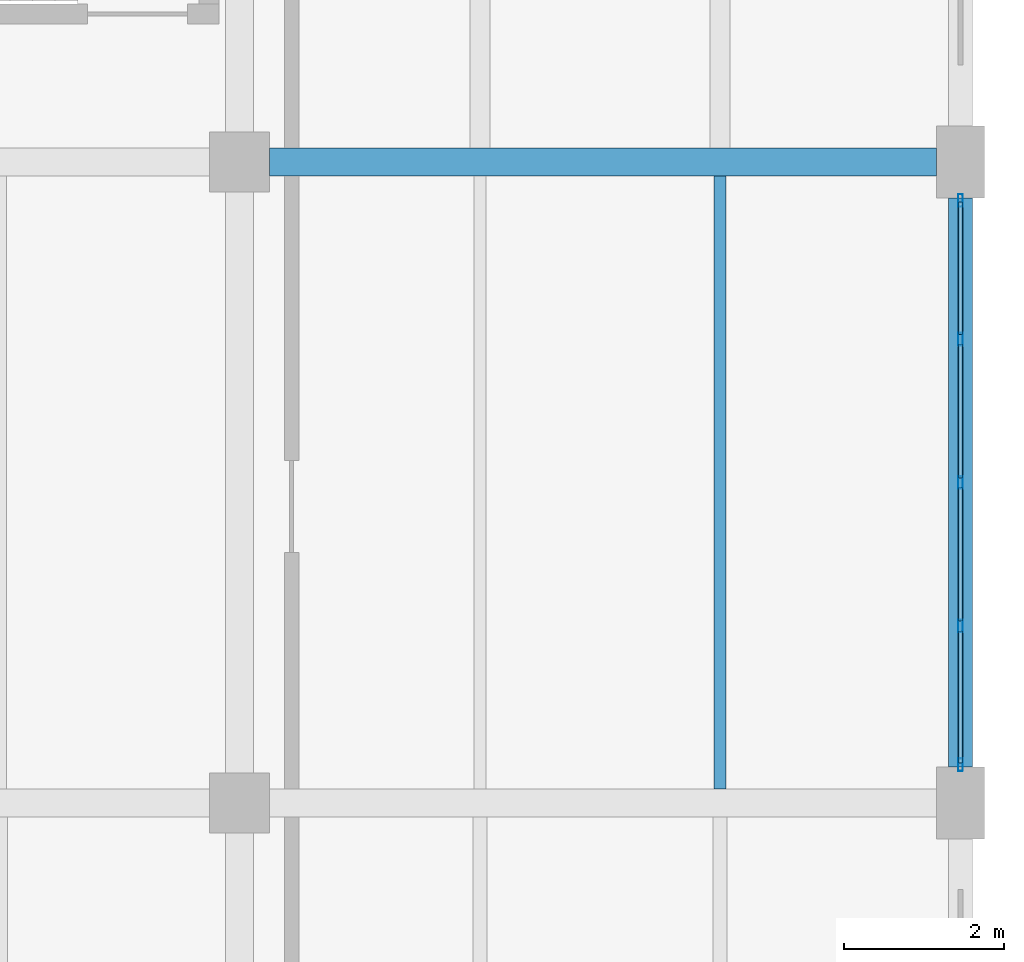
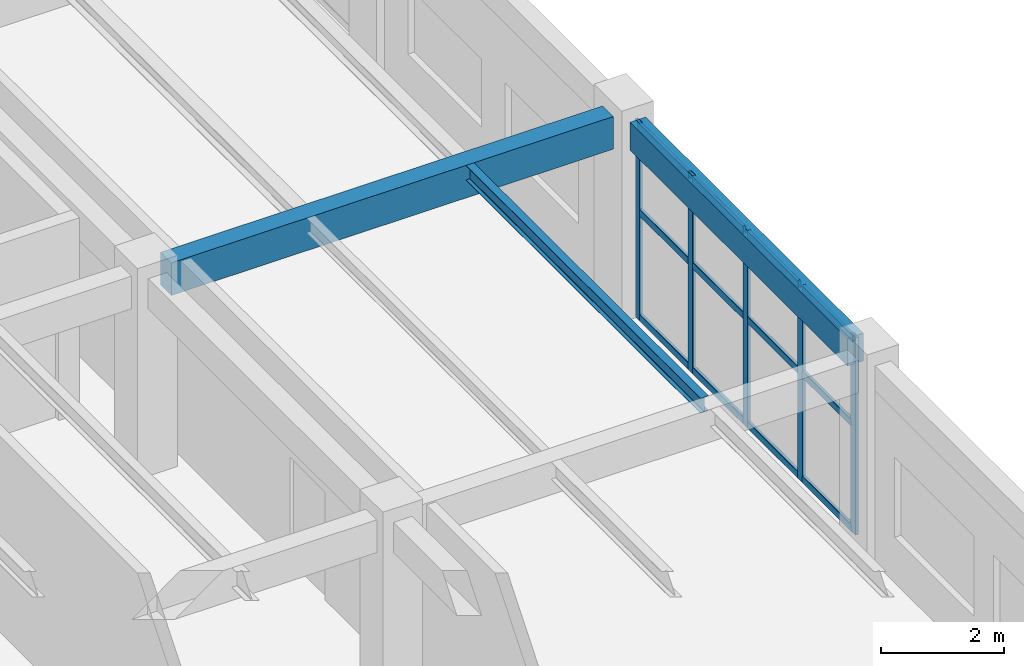
# One storey, part 91 of 128: 17 members, 3 beams, 1 element without a shape of its own.
"""IFC4 building model written with IfcOpenShell, lengths in metres."""

from ifc_helpers import new_model, si_unit, derived_unit, direction, frame, origin, origin_2d, place, context, subcontext, project, spatial, rectangle, hollow_rectangle, i_section, extrude, material, material_profile, profile_set, type_object, element, aggregate, save


model = new_model("IFC4")

# Units and contexts
model_context = context("Model", 3, precision=1e-05, world=origin(), true_north=direction((0.0, 1.0)))
body_context = subcontext(model_context, "Body", "Model", "MODEL_VIEW")
ifc_project = project(units=[si_unit("LENGTHUNIT", "METRE"), si_unit("AREAUNIT", "SQUARE_METRE"), si_unit("VOLUMEUNIT", "CUBIC_METRE"), si_unit("PLANEANGLEUNIT", "RADIAN"), si_unit("MASSUNIT", "GRAM", prefix="KILO"), derived_unit("THERMALTRANSMITTANCEUNIT", [(si_unit("MASSUNIT", "GRAM", prefix="KILO"), 1), (si_unit("TIMEUNIT", "SECOND"), -3), (si_unit("THERMODYNAMICTEMPERATUREUNIT", "KELVIN"), -1)])], contexts=[model_context])

# Site, building, storey
site_placement = place(None, origin())
site = spatial("IfcSite", under=ifc_project, at=site_placement, CompositionType="ELEMENT")
building_placement = place(site_placement, origin())
building = spatial("IfcBuilding", under=site, at=building_placement, Name="Zhenchuan Archway Interchange", CompositionType="ELEMENT")
storey_placement = place(building_placement, frame((0.0, 0.0, 14.39990234375)))
storey = spatial("IfcBuildingStorey", under=building, at=storey_placement, Name="L03", CompositionType="ELEMENT", Elevation=14.39990234375)

# Beam
ifc_material_1 = material(Name="Concrete C40", Category="concrete")
ifc_material_profile_1 = material_profile(ifc_material_1, rectangle(XDim=0.35009765625, YDim=0.64990234375, at=origin_2d()), Name="RC 350x650")
ifc_profile_set_1 = profile_set([ifc_material_profile_1], Name="Concrete C40")
beam_type_1 = type_object("IfcBeamType", Name="BM_RC_350x650", PredefinedType="BEAM", material=ifc_profile_set_1)
beam_1_placement = place(storey_placement, frame((162.375, 88.0, 3.60498046875), z_axis=(1.0, 0.0, 0.0), x_axis=(0.0, 1.0, 0.0)))
element("IfcBeam", 1, at=beam_1_placement, inside=storey, type_object=beam_type_1, Name="Beam M:19-20 (L03)", PredefinedType="BEAM", context=body_context, shape_type="SweptSolid", body=[
    extrude(rectangle(XDim=0.35009765625, YDim=0.64990234375, at=origin_2d()), origin(), (0.0, 0.0, 1.0), 8.324951171875),
])

# Curtain wall, members
ifc_material_2 = material(Name="Anodised Aluminium", Category="aluminium")
curtain_wall_type = type_object("IfcCurtainWallType", Name="CW_UNIT_4", PredefinedType="NOTDEFINED", material=ifc_material_2)
curtain_wall_placement = place(storey_placement, origin())
curtain_wall = element("IfcCurtainWall", 2, at=curtain_wall_placement, inside=storey, type_object=curtain_wall_type, Name="Unitised curtain wall CW:L03:179", PredefinedType="NOTDEFINED")
ifc_material_profile_2 = material_profile(ifc_material_2, hollow_rectangle(XDim=0.06005859375, YDim=0.159912109375, WallThickness=0.00390625, InnerFilletRadius=0.00390625, OuterFilletRadius=0.008056640625, at=origin_2d()), Name="ALU 160x60x4")
ifc_profile_set_2 = profile_set([ifc_material_profile_2], Name="Anodised Aluminium")
member_type_1 = type_object("IfcMemberType", Name="CW_MUL_150", PredefinedType="MULLION", material=ifc_profile_set_2)
member_1_placement = place(storey_placement, frame((171.0, 87.52197265625, 0.0), z_axis=(0.0, 0.0, 1.0), x_axis=(1.0, 0.0, 0.0)))
member_1 = element("IfcMember", 3, at=member_1_placement, type_object=member_type_1, Name="CW:L03:179 mullion 0", PredefinedType="MULLION", context=body_context, shape_type="SweptSolid", body=[
    extrude(hollow_rectangle(XDim=0.06005859375, YDim=0.159912109375, WallThickness=0.00390625, InnerFilletRadius=0.00390625, OuterFilletRadius=0.008056640625, at=origin_2d()), origin(), (0.0, 0.0, 1.0), 3.93017578125),
])
member_2_placement = place(storey_placement, frame((171.0, 85.791015625, 0.0), z_axis=(0.0, 0.0, 1.0), x_axis=(1.0, 0.0, 0.0)))
member_2 = element("IfcMember", 4, at=member_2_placement, type_object=member_type_1, Name="CW:L03:179 mullion 1", PredefinedType="MULLION", context=body_context, shape_type="SweptSolid", body=[
    extrude(hollow_rectangle(XDim=0.06005859375, YDim=0.159912109375, WallThickness=0.00390625, InnerFilletRadius=0.00390625, OuterFilletRadius=0.008056640625, at=origin_2d()), origin(), (0.0, 0.0, 1.0), 3.93017578125),
])
member_3_placement = place(storey_placement, frame((171.0, 84.0, 0.0), z_axis=(0.0, 0.0, 1.0), x_axis=(1.0, 0.0, 0.0)))
member_3 = element("IfcMember", 5, at=member_3_placement, type_object=member_type_1, Name="CW:L03:179 mullion 2", PredefinedType="MULLION", context=body_context, shape_type="SweptSolid", body=[
    extrude(hollow_rectangle(XDim=0.06005859375, YDim=0.159912109375, WallThickness=0.00390625, InnerFilletRadius=0.00390625, OuterFilletRadius=0.008056640625, at=origin_2d()), origin(), (0.0, 0.0, 1.0), 3.93017578125),
])
member_4_placement = place(storey_placement, frame((171.0, 82.208984375, 0.0), z_axis=(0.0, 0.0, 1.0), x_axis=(1.0, 0.0, 0.0)))
member_4 = element("IfcMember", 6, at=member_4_placement, type_object=member_type_1, Name="CW:L03:179 mullion 3", PredefinedType="MULLION", context=body_context, shape_type="SweptSolid", body=[
    extrude(hollow_rectangle(XDim=0.06005859375, YDim=0.159912109375, WallThickness=0.00390625, InnerFilletRadius=0.00390625, OuterFilletRadius=0.008056640625, at=origin_2d()), origin(), (0.0, 0.0, 1.0), 3.93017578125),
])
member_5_placement = place(storey_placement, frame((171.0, 80.47802734375, 0.0), z_axis=(0.0, 0.0, 1.0), x_axis=(1.0, 0.0, 0.0)))
member_5 = element("IfcMember", 7, at=member_5_placement, type_object=member_type_1, Name="CW:L03:179 mullion 4", PredefinedType="MULLION", context=body_context, shape_type="SweptSolid", body=[
    extrude(hollow_rectangle(XDim=0.06005859375, YDim=0.159912109375, WallThickness=0.00390625, InnerFilletRadius=0.00390625, OuterFilletRadius=0.008056640625, at=origin_2d()), origin(), (0.0, 0.0, 1.0), 3.93017578125),
])
ifc_material_profile_3 = material_profile(ifc_material_2, hollow_rectangle(XDim=0.06005859375, YDim=0.139892578125, WallThickness=0.00341796875, InnerFilletRadius=0.00341796875, OuterFilletRadius=0.007080078125, at=origin_2d()), Name="ALU 140x60x3.5")
ifc_profile_set_3 = profile_set([ifc_material_profile_3], Name="Anodised Aluminium")
member_type_2 = type_object("IfcMemberType", Name="CW_TRN_140", PredefinedType="USERDEFINED", material=ifc_profile_set_3)
member_6_placement = place(storey_placement, frame((171.0, 87.501953125, 0.06005859375), z_axis=(0.0, -1.0, 0.0), x_axis=(1.0, 0.0, 0.0)))
member_6 = element("IfcMember", 8, at=member_6_placement, type_object=member_type_2, Name="CW:L03:179 transom 0-1", ObjectType="TRANSOM", PredefinedType="USERDEFINED", context=body_context, shape_type="SweptSolid", body=[
    extrude(hollow_rectangle(XDim=0.06005859375, YDim=0.139892578125, WallThickness=0.00341796875, InnerFilletRadius=0.00341796875, OuterFilletRadius=0.007080078125, at=origin_2d()), origin(), (0.0, 0.0, 1.0), 1.65087890625),
])
member_7_placement = place(storey_placement, frame((171.0, 87.501953125, 2.150634765625), z_axis=(0.0, -1.0, 0.0), x_axis=(1.0, 0.0, 0.0)))
member_7 = element("IfcMember", 9, at=member_7_placement, type_object=member_type_2, Name="CW:L03:179 transom 0-2", ObjectType="TRANSOM", PredefinedType="USERDEFINED", context=body_context, shape_type="SweptSolid", body=[
    extrude(hollow_rectangle(XDim=0.06005859375, YDim=0.139892578125, WallThickness=0.00341796875, InnerFilletRadius=0.00341796875, OuterFilletRadius=0.007080078125, at=origin_2d()), origin(), (0.0, 0.0, 1.0), 1.65087890625),
])
member_8_placement = place(storey_placement, frame((171.0, 87.501953125, 3.85009765625), z_axis=(0.0, -1.0, 0.0), x_axis=(1.0, 0.0, 0.0)))
member_8 = element("IfcMember", 10, at=member_8_placement, type_object=member_type_2, Name="CW:L03:179 transom 0-3", ObjectType="TRANSOM", PredefinedType="USERDEFINED", context=body_context, shape_type="SweptSolid", body=[
    extrude(hollow_rectangle(XDim=0.06005859375, YDim=0.139892578125, WallThickness=0.00341796875, InnerFilletRadius=0.00341796875, OuterFilletRadius=0.007080078125, at=origin_2d()), origin(), (0.0, 0.0, 1.0), 1.65087890625),
])
member_9_placement = place(storey_placement, frame((171.0, 85.73095703125, 0.06005859375), z_axis=(0.0, -1.0, 0.0), x_axis=(1.0, 0.0, 0.0)))
member_9 = element("IfcMember", 11, at=member_9_placement, type_object=member_type_2, Name="CW:L03:179 transom 1-1", ObjectType="TRANSOM", PredefinedType="USERDEFINED", context=body_context, shape_type="SweptSolid", body=[
    extrude(hollow_rectangle(XDim=0.06005859375, YDim=0.139892578125, WallThickness=0.00341796875, InnerFilletRadius=0.00341796875, OuterFilletRadius=0.007080078125, at=origin_2d()), origin(), (0.0, 0.0, 1.0), 1.6708984375),
])
member_10_placement = place(storey_placement, frame((171.0, 85.73095703125, 2.150634765625), z_axis=(0.0, -1.0, 0.0), x_axis=(1.0, 0.0, 0.0)))
member_10 = element("IfcMember", 12, at=member_10_placement, type_object=member_type_2, Name="CW:L03:179 transom 1-2", ObjectType="TRANSOM", PredefinedType="USERDEFINED", context=body_context, shape_type="SweptSolid", body=[
    extrude(hollow_rectangle(XDim=0.06005859375, YDim=0.139892578125, WallThickness=0.00341796875, InnerFilletRadius=0.00341796875, OuterFilletRadius=0.007080078125, at=origin_2d()), origin(), (0.0, 0.0, 1.0), 1.6708984375),
])
member_11_placement = place(storey_placement, frame((171.0, 85.73095703125, 3.85009765625), z_axis=(0.0, -1.0, 0.0), x_axis=(1.0, 0.0, 0.0)))
member_11 = element("IfcMember", 13, at=member_11_placement, type_object=member_type_2, Name="CW:L03:179 transom 1-3", ObjectType="TRANSOM", PredefinedType="USERDEFINED", context=body_context, shape_type="SweptSolid", body=[
    extrude(hollow_rectangle(XDim=0.06005859375, YDim=0.139892578125, WallThickness=0.00341796875, InnerFilletRadius=0.00341796875, OuterFilletRadius=0.007080078125, at=origin_2d()), origin(), (0.0, 0.0, 1.0), 1.6708984375),
])
member_12_placement = place(storey_placement, frame((171.0, 83.93994140625, 0.06005859375), z_axis=(0.0, -1.0, 0.0), x_axis=(1.0, 0.0, 0.0)))
member_12 = element("IfcMember", 14, at=member_12_placement, type_object=member_type_2, Name="CW:L03:179 transom 2-1", ObjectType="TRANSOM", PredefinedType="USERDEFINED", context=body_context, shape_type="SweptSolid", body=[
    extrude(hollow_rectangle(XDim=0.06005859375, YDim=0.139892578125, WallThickness=0.00341796875, InnerFilletRadius=0.00341796875, OuterFilletRadius=0.007080078125, at=origin_2d()), origin(), (0.0, 0.0, 1.0), 1.6708984375),
])
member_13_placement = place(storey_placement, frame((171.0, 83.93994140625, 2.150634765625), z_axis=(0.0, -1.0, 0.0), x_axis=(1.0, 0.0, 0.0)))
member_13 = element("IfcMember", 15, at=member_13_placement, type_object=member_type_2, Name="CW:L03:179 transom 2-2", ObjectType="TRANSOM", PredefinedType="USERDEFINED", context=body_context, shape_type="SweptSolid", body=[
    extrude(hollow_rectangle(XDim=0.06005859375, YDim=0.139892578125, WallThickness=0.00341796875, InnerFilletRadius=0.00341796875, OuterFilletRadius=0.007080078125, at=origin_2d()), origin(), (0.0, 0.0, 1.0), 1.6708984375),
])
member_14_placement = place(storey_placement, frame((171.0, 83.93994140625, 3.85009765625), z_axis=(0.0, -1.0, 0.0), x_axis=(1.0, 0.0, 0.0)))
member_14 = element("IfcMember", 16, at=member_14_placement, type_object=member_type_2, Name="CW:L03:179 transom 2-3", ObjectType="TRANSOM", PredefinedType="USERDEFINED", context=body_context, shape_type="SweptSolid", body=[
    extrude(hollow_rectangle(XDim=0.06005859375, YDim=0.139892578125, WallThickness=0.00341796875, InnerFilletRadius=0.00341796875, OuterFilletRadius=0.007080078125, at=origin_2d()), origin(), (0.0, 0.0, 1.0), 1.6708984375),
])
member_15_placement = place(storey_placement, frame((171.0, 82.14892578125, 0.06005859375), z_axis=(0.0, -1.0, 0.0), x_axis=(1.0, 0.0, 0.0)))
member_15 = element("IfcMember", 17, at=member_15_placement, type_object=member_type_2, Name="CW:L03:179 transom 3-1", ObjectType="TRANSOM", PredefinedType="USERDEFINED", context=body_context, shape_type="SweptSolid", body=[
    extrude(hollow_rectangle(XDim=0.06005859375, YDim=0.139892578125, WallThickness=0.00341796875, InnerFilletRadius=0.00341796875, OuterFilletRadius=0.007080078125, at=origin_2d()), origin(), (0.0, 0.0, 1.0), 1.65087890625),
])
member_16_placement = place(storey_placement, frame((171.0, 82.14892578125, 2.150634765625), z_axis=(0.0, -1.0, 0.0), x_axis=(1.0, 0.0, 0.0)))
member_16 = element("IfcMember", 18, at=member_16_placement, type_object=member_type_2, Name="CW:L03:179 transom 3-2", ObjectType="TRANSOM", PredefinedType="USERDEFINED", context=body_context, shape_type="SweptSolid", body=[
    extrude(hollow_rectangle(XDim=0.06005859375, YDim=0.139892578125, WallThickness=0.00341796875, InnerFilletRadius=0.00341796875, OuterFilletRadius=0.007080078125, at=origin_2d()), origin(), (0.0, 0.0, 1.0), 1.65087890625),
])
member_17_placement = place(storey_placement, frame((171.0, 82.14892578125, 3.85009765625), z_axis=(0.0, -1.0, 0.0), x_axis=(1.0, 0.0, 0.0)))
member_17 = element("IfcMember", 19, at=member_17_placement, type_object=member_type_2, Name="CW:L03:179 transom 3-3", ObjectType="TRANSOM", PredefinedType="USERDEFINED", context=body_context, shape_type="SweptSolid", body=[
    extrude(hollow_rectangle(XDim=0.06005859375, YDim=0.139892578125, WallThickness=0.00341796875, InnerFilletRadius=0.00341796875, OuterFilletRadius=0.007080078125, at=origin_2d()), origin(), (0.0, 0.0, 1.0), 1.65087890625),
])
aggregate(curtain_wall, [member_1, member_2, member_3, member_4, member_5, member_6, member_7, member_8, member_9, member_10, member_11, member_12, member_13, member_14, member_15, member_16, member_17])

# Beams
ifc_material_3 = material(Name="Steel Q355", Category="steel")
ifc_material_profile_4 = material_profile(ifc_material_3, i_section(OverallWidth=0.14990234375, OverallDepth=0.300048828125, WebThickness=0.006591796875, FlangeThickness=0.009033203125, FilletRadius=0.012939453125, at=origin_2d()), Name="HN 300x150")
ifc_profile_set_4 = profile_set([ifc_material_profile_4], Name="Steel Q355")
beam_type_2 = type_object("IfcBeamType", Name="JST_STL_HN300", PredefinedType="JOIST", material=ifc_profile_set_4)
beam_2_placement = place(storey_placement, frame((168.0, 80.175048828125, 3.780029296875), z_axis=(0.0, 1.0, 0.0), x_axis=(-1.0, 0.0, 0.0)))
element("IfcBeam", 20, at=beam_2_placement, inside=storey, type_object=beam_type_2, Name="Secondary joist 19-20/L-M #2 (L03)", PredefinedType="JOIST", context=body_context, shape_type="SweptSolid", body=[
    extrude(i_section(OverallWidth=0.14990234375, OverallDepth=0.300048828125, WebThickness=0.006591796875, FlangeThickness=0.009033203125, FilletRadius=0.012939453125, at=origin_2d()), origin(), (0.0, 0.0, 1.0), 7.64990234375),
])
ifc_material_profile_5 = material_profile(ifc_material_1, rectangle(XDim=0.300048828125, YDim=0.550048828125, at=origin_2d()), Name="RC 300x550")
ifc_profile_set_5 = profile_set([ifc_material_profile_5], Name="Concrete C40")
beam_type_3 = type_object("IfcBeamType", Name="SP_RC_300x550", PredefinedType="SPANDREL", material=ifc_profile_set_5)
beam_3_placement = place(storey_placement, frame((171.0, 80.449951171875, 3.655029296875), z_axis=(0.0, 1.0, 0.0), x_axis=(-1.0, 0.0, 0.0)))
element("IfcBeam", 21, at=beam_3_placement, inside=storey, type_object=beam_type_3, Name="Beam 20:L-M (L03)", PredefinedType="SPANDREL", context=body_context, shape_type="SweptSolid", body=[
    extrude(rectangle(XDim=0.300048828125, YDim=0.550048828125, at=origin_2d()), origin(), (0.0, 0.0, 1.0), 7.10009765625),
])

save(model, "model.ifc")
